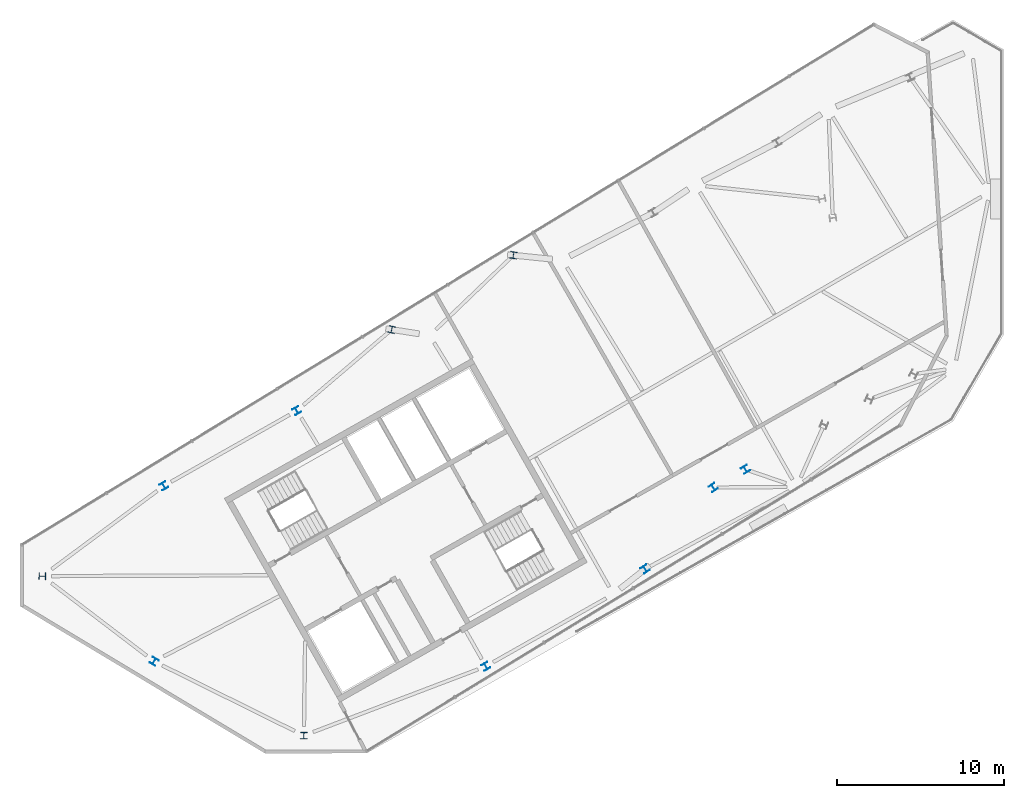
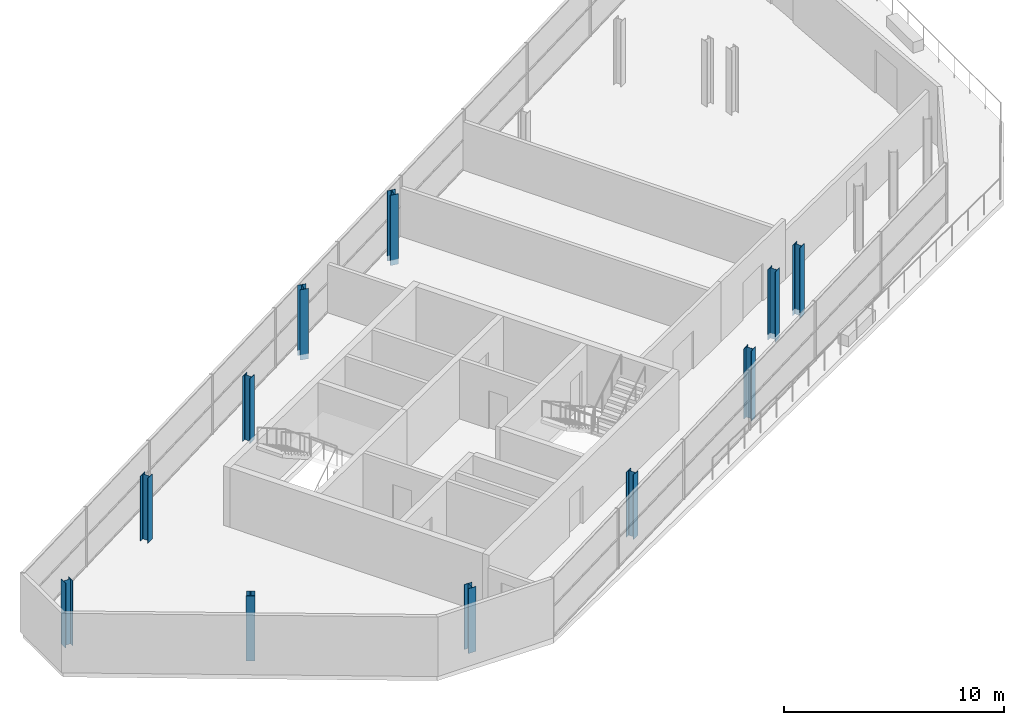
# One storey, part 1 of 10: 11 columns.
"""IFC4 building model written with IfcOpenShell, lengths in metres."""

from ifc_helpers import new_model, si_unit, direction, frame, origin, origin_2d, place, context, subcontext, project, spatial, i_section, extrude, material, material_profile, profile_set, type_object, element, save


model = new_model("IFC4")

# Units and contexts
model_context = context("Model", 3, precision=1e-05, world=origin(), true_north=direction((0.0, 1.0)))
body_context = subcontext(model_context, "Body", "Model", "MODEL_VIEW")
ifc_project = project(units=[si_unit("LENGTHUNIT", "METRE"), si_unit("AREAUNIT", "SQUARE_METRE"), si_unit("VOLUMEUNIT", "CUBIC_METRE"), si_unit("PLANEANGLEUNIT", "RADIAN"), si_unit("MASSUNIT", "GRAM", prefix="KILO")], contexts=[model_context])

# Site, building, storey
site_placement = place(None, origin())
site = spatial("IfcSite", under=ifc_project, at=site_placement, CompositionType="ELEMENT")
building_placement = place(site_placement, origin())
building = spatial("IfcBuilding", under=site, at=building_placement, Name="Binnacle Exchange Tower", CompositionType="ELEMENT")
storey_placement = place(building_placement, frame((0.0, 0.0, 346.89990234375)))
storey = spatial("IfcBuildingStorey", under=building, at=storey_placement, Name="L79", CompositionType="ELEMENT", Elevation=346.89990234375)

# Columns
ifc_material = material(Name="Steel S355 (SHN355)", Category="steel")
ifc_material_profile = material_profile(ifc_material, i_section(OverallWidth=0.39990234375, OverallDepth=0.39990234375, WebThickness=0.012939453125, FlangeThickness=0.02099609375, FilletRadius=0.02197265625, at=origin_2d()), Name="H 400x400x13x21")
ifc_profile_set = profile_set([ifc_material_profile], Name="Steel S355 (SHN355)")
column_type = type_object("IfcColumnType", Name="H 400x400x13x21", PredefinedType="COLUMN", material=ifc_profile_set)
for number, where, z_axis, x_axis, name in (
    (1, (-42.280029296875, 46.918701171875, 0.0), (0.0, 0.0, 1.0), (-0.87035569594, -0.492423560103, 0.0), "S:COL:MC08:L79"),
    (2, (-50.226318359375, 42.4228515625, 0.0), (0.0, 0.0, 1.0), (-0.87035569594, -0.492423560103, 0.0), "S:COL:MC04:L79"),
    (3, (-57.492919921875, 37.02734375, 0.0), (0.0, 0.0, 1.0), (-0.013089595571, -0.999914327574, 0.0), "S:COL:MC02:L79"),
    (4, (-50.81201171875, 31.930908203125, 0.0), (0.0, 0.0, 1.0), (0.857167300702, -0.51503807491, 0.0), "S:COL:MC01:L79"),
    (5, (-41.857666015625, 27.494873046875, 0.0), (0.0, 0.0, 1.0), (0.999914327574, -0.013089595571, 0.0), "S:COL:MC03:L79"),
    (6, (-30.9755859375, 31.63525390625, 0.0), (0.0, 0.0, 1.0), (0.87035569594, 0.492423560103, 0.0), "S:COL:MC07:L79"),
):
    element("IfcColumn", number, at=place(storey_placement, frame(where, z_axis=z_axis, x_axis=x_axis)), inside=storey, type_object=column_type, Name=name, PredefinedType="COLUMN", context=body_context, shape_type="SweptSolid", body=[
        extrude(i_section(OverallWidth=0.39990234375, OverallDepth=0.39990234375, WebThickness=0.012939453125, FlangeThickness=0.02099609375, FilletRadius=0.02197265625, at=origin_2d()), origin(), (0.0, 0.0, 1.0), 3.60009765625),
    ])
for number, where, z_axis, x_axis, name in (
    (7, (-29.330810546875, 56.214111328125, -0.2998046875), (0.0, 0.0, 1.0), (-0.988271064619, 0.152709864898, 0.0), "S:COL:MC20:L79"),
    (8, (-36.608642578125, 51.77001953125, -0.2998046875), (0.0, 0.0, 1.0), (-0.97666103348, 0.214786465314, 0.0), "S:COL:MC11:L79"),
    (9, (-21.456298828125, 37.448486328125, -0.2998046875), (0.0, 0.0, 1.0), (0.830498693415, 0.557020574338, 0.0), "S:COL:MC17:L79"),
    (10, (-15.45751953125, 43.4130859375, -0.2998046875), (0.0, 0.0, 1.0), (0.85345985094, 0.521158596622, 0.0), "S:COL:MC27:L79"),
    (11, (-17.382080078125, 42.323974609375, -0.2998046875), (0.0, 0.0, 1.0), (0.835615665335, 0.549314536351, 0.0), "S:COL:MC23:L79"),
):
    element("IfcColumn", number, at=place(storey_placement, frame(where, z_axis=z_axis, x_axis=x_axis)), inside=storey, type_object=column_type, Name=name, PredefinedType="COLUMN", context=body_context, shape_type="SweptSolid", body=[
        extrude(i_section(OverallWidth=0.39990234375, OverallDepth=0.39990234375, WebThickness=0.012939453125, FlangeThickness=0.02099609375, FilletRadius=0.02197265625, at=origin_2d()), origin(), (0.0, 0.0, 1.0), 3.89990234375),
    ])

save(model, "model.ifc")
